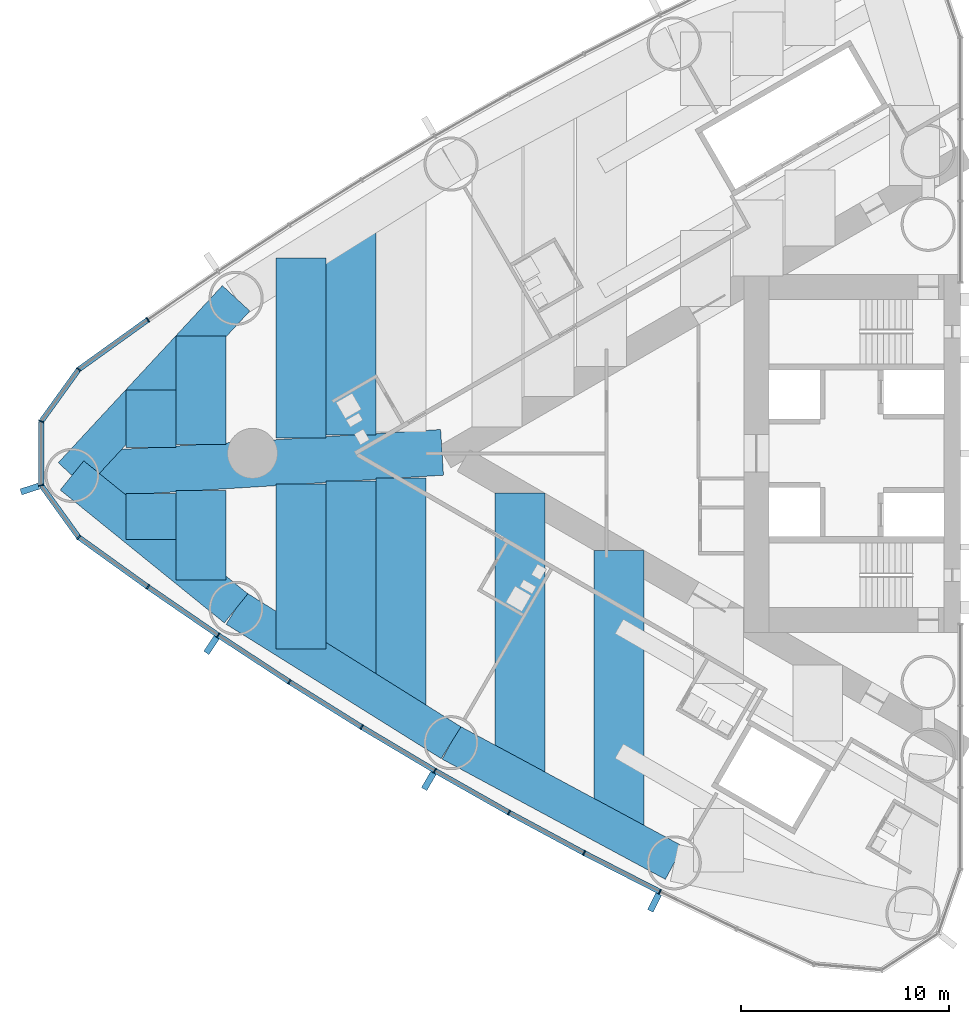
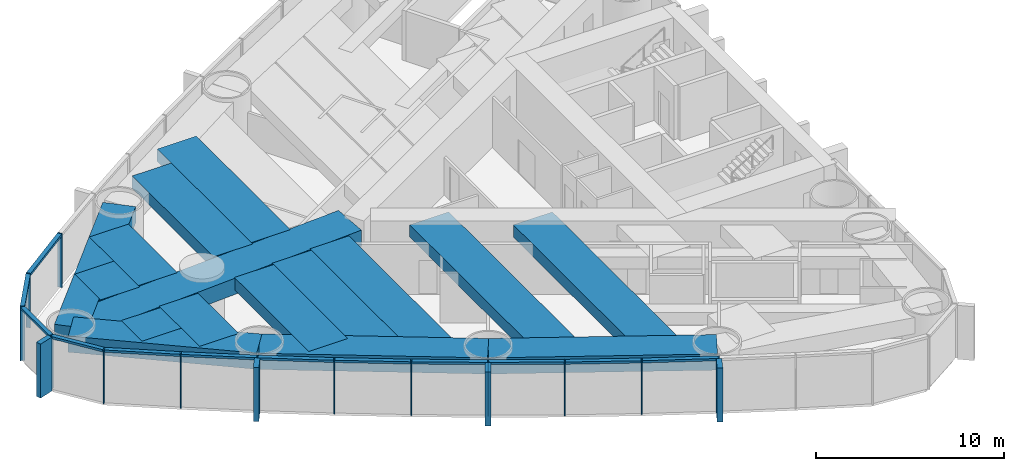
# One storey, part 2 of 18: 29 members, 16 beams, 1 element without a shape of its own.
"""IFC4 building model written with IfcOpenShell, lengths in metres."""

from ifc_helpers import new_model, si_unit, direction, frame, origin, origin_2d, place, context, subcontext, project, spatial, rectangle, extrude, material, material_profile, profile_set, type_object, element, aggregate, save


model = new_model("IFC4")

# Units and contexts
model_context = context("Model", 3, precision=1e-05, world=origin(), true_north=direction((0.0, 1.0)))
body_context = subcontext(model_context, "Body", "Model", "MODEL_VIEW")
ifc_project = project(units=[si_unit("LENGTHUNIT", "METRE"), si_unit("AREAUNIT", "SQUARE_METRE"), si_unit("VOLUMEUNIT", "CUBIC_METRE"), si_unit("PLANEANGLEUNIT", "RADIAN"), si_unit("MASSUNIT", "GRAM", prefix="KILO")], contexts=[model_context])

# Site, building, storey
site_placement = place(None, origin())
site = spatial("IfcSite", under=ifc_project, at=site_placement, CompositionType="ELEMENT")
building_placement = place(site_placement, origin())
building = spatial("IfcBuilding", under=site, at=building_placement, Name="Lancet Gate Hotel", CompositionType="ELEMENT")
storey_placement = place(building_placement, frame((0.0, 0.0, 94.10009765625)))
storey = spatial("IfcBuildingStorey", under=building, at=storey_placement, Name="L24", CompositionType="ELEMENT", Elevation=94.10009765625)

# Curtain wall, members
ifc_material_1 = material(Name="Aluminium curtain wall", Category="aluminium")
curtain_wall_type = type_object("IfcCurtainWallType", Name="Tower unitised curtain wall", PredefinedType="USERDEFINED", material=ifc_material_1)
curtain_wall_placement = place(storey_placement, origin())
curtain_wall = element("IfcCurtainWall", 1, at=curtain_wall_placement, inside=storey, type_object=curtain_wall_type, Name="T1 L24 curtain wall 1", ObjectType="UNITISED CURTAIN WALL", PredefinedType="USERDEFINED")
ifc_material_2 = material(Name="Aluminium mullion", Category="aluminium")
ifc_material_profile_1 = material_profile(ifc_material_2, rectangle(XDim=0.06494140625, YDim=0.25, at=origin_2d()), Name="MULLION 65x250")
ifc_profile_set_1 = profile_set([ifc_material_profile_1], Name="Aluminium mullion")
member_type_1 = type_object("IfcMemberType", Name="Aluminium mullion 65x250", PredefinedType="MULLION", material=ifc_profile_set_1)
member_1_placement = place(storey_placement, frame((-66.5234375, 6.41650390625, 0.0), z_axis=(0.0, 0.0, 1.0), x_axis=(-0.818327221681, -0.574752606132, 0.0)))
member_1 = element("IfcMember", 2, at=member_1_placement, type_object=member_type_1, Name="T1 L24 curtain wall 1 mullion 16", PredefinedType="MULLION", context=body_context, shape_type="SweptSolid", body=[
    extrude(rectangle(XDim=0.06494140625, YDim=0.25, at=origin_2d()), origin(), (0.0, 0.0, 1.0), 3.5),
])
member_2_placement = place(storey_placement, frame((-69.84619140625, 4.02880859375, 0.0), z_axis=(0.0, 0.0, 1.0), x_axis=(-0.723846229576, -0.6899613293, 0.0)))
member_2 = element("IfcMember", 3, at=member_2_placement, type_object=member_type_1, Name="T1 L24 curtain wall 1 mullion 17", PredefinedType="MULLION", context=body_context, shape_type="SweptSolid", body=[
    extrude(rectangle(XDim=0.06494140625, YDim=0.25, at=origin_2d()), origin(), (0.0, 0.0, 1.0), 3.5),
])
member_3_placement = place(storey_placement, frame((-71.64306640625, 1.536376953125, 0.0), z_axis=(0.0, 0.0, 1.0), x_axis=(-0.307269196735, -0.95162263568, 0.0)))
member_3 = element("IfcMember", 4, at=member_3_placement, type_object=member_type_1, Name="T1 L24 curtain wall 1 mullion 18", PredefinedType="MULLION", context=body_context, shape_type="SweptSolid", body=[
    extrude(rectangle(XDim=0.06494140625, YDim=0.25, at=origin_2d()), origin(), (0.0, 0.0, 1.0), 3.5),
])
member_4_placement = place(storey_placement, frame((-71.64306640625, -1.536376953125, 0.0), z_axis=(0.0, 0.0, 1.0), x_axis=(0.307269196735, -0.95162263568, 0.0)))
member_4 = element("IfcMember", 5, at=member_4_placement, type_object=member_type_1, Name="T1 L24 curtain wall 1 mullion 19", PredefinedType="MULLION", context=body_context, shape_type="SweptSolid", body=[
    extrude(rectangle(XDim=0.06494140625, YDim=0.25, at=origin_2d()), origin(), (0.0, 0.0, 1.0), 3.5),
])
member_5_placement = place(storey_placement, frame((-69.84619140625, -4.02880859375, 0.0), z_axis=(0.0, 0.0, 1.0), x_axis=(0.723846229576, -0.6899613293, 0.0)))
member_5 = element("IfcMember", 6, at=member_5_placement, type_object=member_type_1, Name="T1 L24 curtain wall 1 mullion 20", PredefinedType="MULLION", context=body_context, shape_type="SweptSolid", body=[
    extrude(rectangle(XDim=0.06494140625, YDim=0.25, at=origin_2d()), origin(), (0.0, 0.0, 1.0), 3.5),
])
member_6_placement = place(storey_placement, frame((-66.5234375, -6.41650390625, 0.0), z_axis=(0.0, 0.0, 1.0), x_axis=(0.818327221681, -0.574752606132, 0.0)))
member_6 = element("IfcMember", 7, at=member_6_placement, type_object=member_type_1, Name="T1 L24 curtain wall 1 mullion 21", PredefinedType="MULLION", context=body_context, shape_type="SweptSolid", body=[
    extrude(rectangle(XDim=0.06494140625, YDim=0.25, at=origin_2d()), origin(), (0.0, 0.0, 1.0), 3.5),
])
member_7_placement = place(storey_placement, frame((-63.14990234375, -8.73193359375, 0.0), z_axis=(0.0, 0.0, 1.0), x_axis=(0.830510096234, -0.557003572747, 0.0)))
member_7 = element("IfcMember", 8, at=member_7_placement, type_object=member_type_1, Name="T1 L24 curtain wall 1 mullion 22", PredefinedType="MULLION", context=body_context, shape_type="SweptSolid", body=[
    extrude(rectangle(XDim=0.06494140625, YDim=0.25, at=origin_2d()), origin(), (0.0, 0.0, 1.0), 3.5),
])
member_8_placement = place(storey_placement, frame((-59.7275390625, -10.974365234375, 0.0), z_axis=(0.0, 0.0, 1.0), x_axis=(0.84230807036, -0.538996395727, 0.0)))
member_8 = element("IfcMember", 9, at=member_8_placement, type_object=member_type_1, Name="T1 L24 curtain wall 1 mullion 23", PredefinedType="MULLION", context=body_context, shape_type="SweptSolid", body=[
    extrude(rectangle(XDim=0.06494140625, YDim=0.25, at=origin_2d()), origin(), (0.0, 0.0, 1.0), 3.5),
])
member_9_placement = place(storey_placement, frame((-56.257568359375, -13.142333984375, 0.0), z_axis=(0.0, 0.0, 1.0), x_axis=(0.853715676299, -0.52073942048, 0.0)))
member_9 = element("IfcMember", 10, at=member_9_placement, type_object=member_type_1, Name="T1 L24 curtain wall 1 mullion 24", PredefinedType="MULLION", context=body_context, shape_type="SweptSolid", body=[
    extrude(rectangle(XDim=0.06494140625, YDim=0.25, at=origin_2d()), origin(), (0.0, 0.0, 1.0), 3.5),
])
member_10_placement = place(storey_placement, frame((-52.74169921875, -15.2353515625, 0.0), z_axis=(0.0, 0.0, 1.0), x_axis=(0.86472762718, -0.502241108226, 0.0)))
member_10 = element("IfcMember", 11, at=member_10_placement, type_object=member_type_1, Name="T1 L24 curtain wall 1 mullion 25", PredefinedType="MULLION", context=body_context, shape_type="SweptSolid", body=[
    extrude(rectangle(XDim=0.06494140625, YDim=0.25, at=origin_2d()), origin(), (0.0, 0.0, 1.0), 3.5),
])
member_11_placement = place(storey_placement, frame((-49.181640625, -17.252197265625, 0.0), z_axis=(0.0, 0.0, 1.0), x_axis=(0.875338819507, -0.48351003202, 0.0)))
member_11 = element("IfcMember", 12, at=member_11_placement, type_object=member_type_1, Name="T1 L24 curtain wall 1 mullion 26", PredefinedType="MULLION", context=body_context, shape_type="SweptSolid", body=[
    extrude(rectangle(XDim=0.06494140625, YDim=0.25, at=origin_2d()), origin(), (0.0, 0.0, 1.0), 3.5),
])
member_12_placement = place(storey_placement, frame((-45.578857421875, -19.19189453125, 0.0), z_axis=(0.0, 0.0, 1.0), x_axis=(0.885544335517, -0.46455487279, 0.0)))
member_12 = element("IfcMember", 13, at=member_12_placement, type_object=member_type_1, Name="T1 L24 curtain wall 1 mullion 27", PredefinedType="MULLION", context=body_context, shape_type="SweptSolid", body=[
    extrude(rectangle(XDim=0.06494140625, YDim=0.25, at=origin_2d()), origin(), (0.0, 0.0, 1.0), 3.5),
])
member_13_placement = place(storey_placement, frame((-41.935302734375, -21.053466796875, 0.0), z_axis=(0.0, 0.0, 1.0), x_axis=(0.895339445458, -0.445384415317, 0.0)))
member_13 = element("IfcMember", 14, at=member_13_placement, type_object=member_type_1, Name="T1 L24 curtain wall 1 mullion 28", PredefinedType="MULLION", context=body_context, shape_type="SweptSolid", body=[
    extrude(rectangle(XDim=0.06494140625, YDim=0.25, at=origin_2d()), origin(), (0.0, 0.0, 1.0), 3.5),
])
ifc_material_3 = material(Name="Aluminium transom", Category="aluminium")
ifc_material_profile_2 = material_profile(ifc_material_3, rectangle(XDim=0.25, YDim=0.14990234375, at=origin_2d()), Name="TRANSOM 250x150")
ifc_profile_set_2 = profile_set([ifc_material_profile_2], Name="Aluminium transom")
member_type_2 = type_object("IfcMemberType", Name="Aluminium transom 250x150", PredefinedType="USERDEFINED", material=ifc_profile_set_2)
member_14_placement = place(storey_placement, frame((-66.5498046875, 6.3974609375, 3.4248046875), z_axis=(-0.812099770796, -0.583518604908, 0.0), x_axis=(0.583518604908, -0.812099770796, 0.0)))
member_14 = element("IfcMember", 15, at=member_14_placement, type_object=member_type_2, Name="T1 L24 curtain wall 1 transom 16", ObjectType="TRANSOM", PredefinedType="USERDEFINED", context=body_context, shape_type="SweptSolid", body=[
    extrude(rectangle(XDim=0.25, YDim=0.14990234375, at=origin_2d()), origin(), (0.0, 0.0, 1.0), 4.026611328125),
])
member_15_placement = place(storey_placement, frame((-69.865234375, 4.00244140625, 3.4248046875), z_axis=(-0.584787911241, -0.81118622946, 0.0), x_axis=(0.81118622946, -0.584787911241, 0.0)))
member_15 = element("IfcMember", 16, at=member_15_placement, type_object=member_type_2, Name="T1 L24 curtain wall 1 transom 17", ObjectType="TRANSOM", PredefinedType="USERDEFINED", context=body_context, shape_type="SweptSolid", body=[
    extrude(rectangle(XDim=0.25, YDim=0.14990234375, at=origin_2d()), origin(), (0.0, 0.0, 1.0), 3.007568359375),
])
member_16_placement = place(storey_placement, frame((-71.64306640625, 1.50390625, 3.4248046875), z_axis=(0.0, -1.0, 0.0), x_axis=(1.0, 0.0, 0.0)))
member_16 = element("IfcMember", 17, at=member_16_placement, type_object=member_type_2, Name="T1 L24 curtain wall 1 transom 18", ObjectType="TRANSOM", PredefinedType="USERDEFINED", context=body_context, shape_type="SweptSolid", body=[
    extrude(rectangle(XDim=0.25, YDim=0.14990234375, at=origin_2d()), origin(), (0.0, 0.0, 1.0), 3.0078125),
])
member_17_placement = place(storey_placement, frame((-71.6240234375, -1.562744140625, 3.4248046875), z_axis=(0.584787911241, -0.81118622946, 0.0), x_axis=(0.81118622946, 0.584787911241, 0.0)))
member_17 = element("IfcMember", 18, at=member_17_placement, type_object=member_type_2, Name="T1 L24 curtain wall 1 transom 19", ObjectType="TRANSOM", PredefinedType="USERDEFINED", context=body_context, shape_type="SweptSolid", body=[
    extrude(rectangle(XDim=0.25, YDim=0.14990234375, at=origin_2d()), origin(), (0.0, 0.0, 1.0), 3.007568359375),
])
member_18_placement = place(storey_placement, frame((-69.81982421875, -4.0478515625, 3.4248046875), z_axis=(0.812099770796, -0.583518604908, 0.0), x_axis=(0.583518604908, 0.812099770796, 0.0)))
member_18 = element("IfcMember", 19, at=member_18_placement, type_object=member_type_2, Name="T1 L24 curtain wall 1 transom 20", ObjectType="TRANSOM", PredefinedType="USERDEFINED", context=body_context, shape_type="SweptSolid", body=[
    extrude(rectangle(XDim=0.25, YDim=0.14990234375, at=origin_2d()), origin(), (0.0, 0.0, 1.0), 4.026611328125),
])
member_19_placement = place(storey_placement, frame((-66.49658203125, -6.434814453125, 3.4248046875), z_axis=(0.824455665247, -0.565926546508, 0.0), x_axis=(0.565926546508, 0.824455665247, 0.0)))
member_19 = element("IfcMember", 20, at=member_19_placement, type_object=member_type_2, Name="T1 L24 curtain wall 1 transom 21", ObjectType="TRANSOM", PredefinedType="USERDEFINED", context=body_context, shape_type="SweptSolid", body=[
    extrude(rectangle(XDim=0.25, YDim=0.14990234375, at=origin_2d()), origin(), (0.0, 0.0, 1.0), 4.026611328125),
])
member_20_placement = place(storey_placement, frame((-63.122802734375, -8.749755859375, 3.4248046875), z_axis=(0.83645442085, -0.548036496815, 0.0), x_axis=(0.548036496815, 0.83645442085, 0.0)))
member_20 = element("IfcMember", 21, at=member_20_placement, type_object=member_type_2, Name="T1 L24 curtain wall 1 transom 22", ObjectType="TRANSOM", PredefinedType="USERDEFINED", context=body_context, shape_type="SweptSolid", body=[
    extrude(rectangle(XDim=0.25, YDim=0.14990234375, at=origin_2d()), origin(), (0.0, 0.0, 1.0), 4.026611328125),
])
member_21_placement = place(storey_placement, frame((-59.699951171875, -10.991455078125, 3.4248046875), z_axis=(0.848049393821, -0.529917187531, 0.0), x_axis=(0.529917187531, 0.848049393821, 0.0)))
member_21 = element("IfcMember", 22, at=member_21_placement, type_object=member_type_2, Name="T1 L24 curtain wall 1 transom 23", ObjectType="TRANSOM", PredefinedType="USERDEFINED", context=body_context, shape_type="SweptSolid", body=[
    extrude(rectangle(XDim=0.25, YDim=0.14990234375, at=origin_2d()), origin(), (0.0, 0.0, 1.0), 4.026611328125),
])
member_22_placement = place(storey_placement, frame((-56.2294921875, -13.1591796875, 3.4248046875), z_axis=(0.859285270342, -0.511496651186, 0.0), x_axis=(0.511496651186, 0.859285270342, 0.0)))
member_22 = element("IfcMember", 23, at=member_22_placement, type_object=member_type_2, Name="T1 L24 curtain wall 1 transom 24", ObjectType="TRANSOM", PredefinedType="USERDEFINED", context=body_context, shape_type="SweptSolid", body=[
    extrude(rectangle(XDim=0.25, YDim=0.14990234375, at=origin_2d()), origin(), (0.0, 0.0, 1.0), 4.026611328125),
])
member_23_placement = place(storey_placement, frame((-52.71337890625, -15.25146484375, 3.4248046875), z_axis=(0.870091531013, -0.492890178091, 0.0), x_axis=(0.492890178091, 0.870091531013, 0.0)))
member_23 = element("IfcMember", 24, at=member_23_placement, type_object=member_type_2, Name="T1 L24 curtain wall 1 transom 25", ObjectType="TRANSOM", PredefinedType="USERDEFINED", context=body_context, shape_type="SweptSolid", body=[
    extrude(rectangle(XDim=0.25, YDim=0.14990234375, at=origin_2d()), origin(), (0.0, 0.0, 1.0), 4.026611328125),
])
member_24_placement = place(storey_placement, frame((-49.153076171875, -17.267578125, 3.4248046875), z_axis=(0.880498353192, -0.474049206335, 0.0), x_axis=(0.474049206335, 0.880498353192, 0.0)))
member_24 = element("IfcMember", 25, at=member_24_placement, type_object=member_type_2, Name="T1 L24 curtain wall 1 transom 26", ObjectType="TRANSOM", PredefinedType="USERDEFINED", context=body_context, shape_type="SweptSolid", body=[
    extrude(rectangle(XDim=0.25, YDim=0.14990234375, at=origin_2d()), origin(), (0.0, 0.0, 1.0), 4.02685546875),
])
member_25_placement = place(storey_placement, frame((-45.550048828125, -19.20654296875, 3.4248046875), z_axis=(0.89047617483, -0.455029869415, 0.0), x_axis=(0.455029869415, 0.89047617483, 0.0)))
member_25 = element("IfcMember", 26, at=member_25_placement, type_object=member_type_2, Name="T1 L24 curtain wall 1 transom 27", ObjectType="TRANSOM", PredefinedType="USERDEFINED", context=body_context, shape_type="SweptSolid", body=[
    extrude(rectangle(XDim=0.25, YDim=0.14990234375, at=origin_2d()), origin(), (0.0, 0.0, 1.0), 4.026611328125),
])

# Beams
ifc_material_4 = material(Name="Concrete C50/60", Category="concrete")
ifc_material_profile_3 = material_profile(ifc_material_4, rectangle(XDim=1.800048828125, YDim=1.050048828125, at=origin_2d()), Name="RC 1800x1050")
ifc_profile_set_3 = profile_set([ifc_material_profile_3], Name="Concrete C50/60")
beam_type_1 = type_object("IfcBeamType", Name="Edge beam RC 1800x1050", PredefinedType="SPANDREL", material=ifc_profile_set_3)
beam_1_placement = place(storey_placement, frame((-62.28662109375, 7.444580078125, 2.724853515625), z_axis=(-0.679718253794, -0.733473309303, 0.0), x_axis=(0.733473309303, -0.679718253794, 0.0)))
element("IfcBeam", 27, at=beam_1_placement, inside=storey, type_object=beam_type_1, Name="T1 edge beam EB1 L24", PredefinedType="SPANDREL", context=body_context, shape_type="SweptSolid", body=[
    extrude(rectangle(XDim=1.800048828125, YDim=1.050048828125, at=origin_2d()), origin(), (0.0, 0.0, 1.0), 11.594970703125),
])
beam_2_placement = place(storey_placement, frame((-70.16796875, -1.06005859375, 2.724853515625), z_axis=(0.777033503891, -0.629459239213, 0.0), x_axis=(0.629459239213, 0.777033503891, 0.0)))
element("IfcBeam", 28, at=beam_2_placement, inside=storey, type_object=beam_type_1, Name="T1 edge beam EB1 L24", PredefinedType="SPANDREL", context=body_context, shape_type="SweptSolid", body=[
    extrude(rectangle(XDim=1.800048828125, YDim=1.050048828125, at=origin_2d()), origin(), (0.0, 0.0, 1.0), 10.142822265625),
])
for number, where, z_axis, x_axis, name in (
    (29, (-62.28662109375, -7.444580078125, 2.724853515625), (0.848062521637, -0.529896177939, 0.0), (0.529896177939, 0.848062521637, 0.0), "T1 edge beam EB1 L24"),
    (30, (-51.963134765625, -13.89501953125, 2.724853515625), (0.880492350889, -0.474060354835, 0.0), (0.474060354835, 0.880492350889, 0.0), "T1 edge beam EB1 L24"),
):
    element("IfcBeam", number, at=place(storey_placement, frame(where, z_axis=z_axis, x_axis=x_axis)), inside=storey, type_object=beam_type_1, Name=name, PredefinedType="SPANDREL", context=body_context, shape_type="SweptSolid", body=[
        extrude(rectangle(XDim=1.800048828125, YDim=1.050048828125, at=origin_2d()), origin(), (0.0, 0.0, 1.0), 12.173095703125),
    ])

# Member
ifc_material_5 = material(Name="Precast concrete C50/60", Category="concrete")
ifc_material_profile_4 = material_profile(ifc_material_5, rectangle(XDim=0.300048828125, YDim=0.89990234375, at=origin_2d()), Name="FIN 300x900")
ifc_profile_set_4 = profile_set([ifc_material_profile_4], Name="Precast concrete C50/60")
member_type_3 = type_object("IfcMemberType", Name="Exposed concrete fin 300x900", PredefinedType="USERDEFINED", material=ifc_profile_set_4)
member_26_placement = place(storey_placement, frame((-72.190185546875, -1.713134765625, 0.0), z_axis=(0.0, 0.0, 1.0), x_axis=(0.307269196735, -0.95162263568, 0.0)))
member_26 = element("IfcMember", 31, at=member_26_placement, type_object=member_type_3, Name="T1 L24 curtain wall 1 fin 19", ObjectType="FIN", PredefinedType="USERDEFINED", context=body_context, shape_type="SweptSolid", body=[
    extrude(rectangle(XDim=0.300048828125, YDim=0.89990234375, at=origin_2d()), origin(), (0.0, 0.0, 1.0), 3.5),
])

member_27_placement = place(storey_placement, frame((-63.47021484375, -9.20947265625, 0.0), z_axis=(0.0, 0.0, 1.0), x_axis=(0.830510096234, -0.557003572747, 0.0)))
member_27 = element("IfcMember", 32, at=member_27_placement, type_object=member_type_3, Name="T1 L24 curtain wall 1 fin 22", ObjectType="FIN", PredefinedType="USERDEFINED", context=body_context, shape_type="SweptSolid", body=[
    extrude(rectangle(XDim=0.300048828125, YDim=0.89990234375, at=origin_2d()), origin(), (0.0, 0.0, 1.0), 3.5),
])

member_28_placement = place(storey_placement, frame((-53.030517578125, -15.732666015625, 0.0), z_axis=(0.0, 0.0, 1.0), x_axis=(0.86472762718, -0.502241108226, 0.0)))
member_28 = element("IfcMember", 33, at=member_28_placement, type_object=member_type_3, Name="T1 L24 curtain wall 1 fin 25", ObjectType="FIN", PredefinedType="USERDEFINED", context=body_context, shape_type="SweptSolid", body=[
    extrude(rectangle(XDim=0.300048828125, YDim=0.89990234375, at=origin_2d()), origin(), (0.0, 0.0, 1.0), 3.5),
])

member_29_placement = place(storey_placement, frame((-42.19140625, -21.568359375, 0.0), z_axis=(0.0, 0.0, 1.0), x_axis=(0.895339445458, -0.445384415317, 0.0)))
member_29 = element("IfcMember", 34, at=member_29_placement, type_object=member_type_3, Name="T1 L24 curtain wall 1 fin 28", ObjectType="FIN", PredefinedType="USERDEFINED", context=body_context, shape_type="SweptSolid", body=[
    extrude(rectangle(XDim=0.300048828125, YDim=0.89990234375, at=origin_2d()), origin(), (0.0, 0.0, 1.0), 3.5),
])

aggregate(curtain_wall, [member_1, member_2, member_3, member_4, member_26, member_5, member_6, member_7, member_27, member_8, member_9, member_10, member_28, member_11, member_12, member_13, member_29, member_14, member_15, member_16, member_17, member_18, member_19, member_20, member_21, member_22, member_23, member_24, member_25])

# Beams
ifc_material_6 = material(Name="Concrete C50/60", Category="concrete")
ifc_material_profile_5 = material_profile(ifc_material_6, rectangle(XDim=2.39990234375, YDim=0.800048828125, at=origin_2d()), Name="RC 2400x800")
ifc_profile_set_5 = profile_set([ifc_material_profile_5], Name="Concrete C50/60")
beam_type_2 = type_object("IfcBeamType", Name="Floor beam RC 2400x800", PredefinedType="BEAM", material=ifc_profile_set_5)
beam_3_placement = place(storey_placement, frame((-43.891357421875, -4.663330078125, 2.849853515625), z_axis=(0.0, -1.0, 0.0), x_axis=(1.0, 0.0, 0.0)))
element("IfcBeam", 35, at=beam_3_placement, inside=storey, type_object=beam_type_2, Name="T1 floor beam F08N L24", PredefinedType="BEAM", context=body_context, shape_type="SweptSolid", body=[
    extrude(rectangle(XDim=2.39990234375, YDim=0.800048828125, at=origin_2d()), origin(), (0.0, 0.0, 1.0), 13.57763671875),
])
beam_4_placement = place(storey_placement, frame((-48.66015625, -1.909912109375, 2.849853515625), z_axis=(0.0, -1.0, 0.0), x_axis=(1.0, 0.0, 0.0)))
element("IfcBeam", 36, at=beam_4_placement, inside=storey, type_object=beam_type_2, Name="T1 floor beam F11N L24", PredefinedType="BEAM", context=body_context, shape_type="SweptSolid", body=[
    extrude(rectangle(XDim=2.39990234375, YDim=0.800048828125, at=origin_2d()), origin(), (0.0, 0.0, 1.0), 13.763427734375),
])
beam_5_placement = place(storey_placement, frame((-54.3681640625, -1.177001953125, 2.849853515625), z_axis=(0.0, -1.0, 0.0), x_axis=(1.0, 0.0, 0.0)))
element("IfcBeam", 37, at=beam_5_placement, inside=storey, type_object=beam_type_2, Name="T1 floor beam F14N L24", PredefinedType="BEAM", context=body_context, shape_type="SweptSolid", body=[
    extrude(rectangle(XDim=2.39990234375, YDim=0.800048828125, at=origin_2d()), origin(), (0.0, 0.0, 1.0), 11.21533203125),
])
beam_6_placement = place(storey_placement, frame((-56.768310546875, 10.892578125, 2.849853515625), z_axis=(0.0, -1.0, 0.0), x_axis=(1.0, 0.0, 0.0)))
element("IfcBeam", 38, at=beam_6_placement, inside=storey, type_object=beam_type_2, Name="T1 floor beam F15S L24", PredefinedType="BEAM", context=body_context, shape_type="SweptSolid", body=[
    extrude(rectangle(XDim=2.39990234375, YDim=0.800048828125, at=origin_2d()), origin(), (0.0, 0.0, 1.0), 10.014892578125),
])
beam_7_placement = place(storey_placement, frame((-56.768310546875, -1.32666015625, 2.849853515625), z_axis=(0.0, -1.0, 0.0), x_axis=(1.0, 0.0, 0.0)))
element("IfcBeam", 39, at=beam_7_placement, inside=storey, type_object=beam_type_2, Name="T1 floor beam F16N L24", PredefinedType="BEAM", context=body_context, shape_type="SweptSolid", body=[
    extrude(rectangle(XDim=2.39990234375, YDim=0.800048828125, at=origin_2d()), origin(), (0.0, 0.0, 1.0), 9.56591796875),
])
beam_8_placement = place(storey_placement, frame((-59.168212890625, 9.39306640625, 2.849853515625), z_axis=(0.0, -1.0, 0.0), x_axis=(1.0, 0.0, 0.0)))
element("IfcBeam", 40, at=beam_8_placement, inside=storey, type_object=beam_type_2, Name="T1 floor beam F17S L24", PredefinedType="BEAM", context=body_context, shape_type="SweptSolid", body=[
    extrude(rectangle(XDim=2.39990234375, YDim=0.800048828125, at=origin_2d()), origin(), (0.0, 0.0, 1.0), 8.6650390625),
])
beam_9_placement = place(storey_placement, frame((-59.168212890625, -1.476318359375, 2.849853515625), z_axis=(0.0, -1.0, 0.0), x_axis=(1.0, 0.0, 0.0)))
element("IfcBeam", 41, at=beam_9_placement, inside=storey, type_object=beam_type_2, Name="T1 floor beam F18N L24", PredefinedType="BEAM", context=body_context, shape_type="SweptSolid", body=[
    extrude(rectangle(XDim=2.39990234375, YDim=0.800048828125, at=origin_2d()), origin(), (0.0, 0.0, 1.0), 7.916748046875),
])
beam_10_placement = place(storey_placement, frame((-63.96826171875, 5.6298828125, 2.849853515625), z_axis=(0.0, -1.0, 0.0), x_axis=(1.0, 0.0, 0.0)))
element("IfcBeam", 42, at=beam_10_placement, inside=storey, type_object=beam_type_2, Name="T1 floor beam F19S L24", PredefinedType="BEAM", context=body_context, shape_type="SweptSolid", body=[
    extrude(rectangle(XDim=2.39990234375, YDim=0.800048828125, at=origin_2d()), origin(), (0.0, 0.0, 1.0), 5.201171875),
])
beam_11_placement = place(storey_placement, frame((-63.96826171875, -1.775634765625, 2.849853515625), z_axis=(0.0, -1.0, 0.0), x_axis=(1.0, 0.0, 0.0)))
element("IfcBeam", 43, at=beam_11_placement, inside=storey, type_object=beam_type_2, Name="T1 floor beam F20N L24", PredefinedType="BEAM", context=body_context, shape_type="SweptSolid", body=[
    extrude(rectangle(XDim=2.39990234375, YDim=0.800048828125, at=origin_2d()), origin(), (0.0, 0.0, 1.0), 4.306640625),
])
beam_12_placement = place(storey_placement, frame((-66.3681640625, 3.040283203125, 2.849853515625), z_axis=(0.0, -1.0, 0.0), x_axis=(1.0, 0.0, 0.0)))
element("IfcBeam", 44, at=beam_12_placement, inside=storey, type_object=beam_type_2, Name="T1 floor beam F21S L24", PredefinedType="BEAM", context=body_context, shape_type="SweptSolid", body=[
    extrude(rectangle(XDim=2.39990234375, YDim=0.800048828125, at=origin_2d()), origin(), (0.0, 0.0, 1.0), 2.76123046875),
])
beam_13_placement = place(storey_placement, frame((-66.3681640625, -1.92529296875, 2.849853515625), z_axis=(0.0, -1.0, 0.0), x_axis=(1.0, 0.0, 0.0)))
element("IfcBeam", 45, at=beam_13_placement, inside=storey, type_object=beam_type_2, Name="T1 floor beam F22N L24", PredefinedType="BEAM", context=body_context, shape_type="SweptSolid", body=[
    extrude(rectangle(XDim=2.39990234375, YDim=0.800048828125, at=origin_2d()), origin(), (0.0, 0.0, 1.0), 2.212890625),
])
ifc_material_7 = material(Name="Concrete C50/60", Category="concrete")
ifc_material_profile_6 = material_profile(ifc_material_7, rectangle(XDim=2.199951171875, YDim=1.050048828125, at=origin_2d()), Name="RC 2200x1050")
ifc_profile_set_6 = profile_set([ifc_material_profile_6], Name="Concrete C50/60")
beam_type_3 = type_object("IfcBeamType", Name="Radial floor beam RC 2200x1050", PredefinedType="BEAM", material=ifc_profile_set_6)
beam_14_placement = place(storey_placement, frame((-70.16796875, -1.06005859375, 2.724853515625), z_axis=(0.998061637313, 0.062233175423, 0.0), x_axis=(-0.062233175423, 0.998061637313, 0.0)))
element("IfcBeam", 46, at=beam_14_placement, inside=storey, type_object=beam_type_3, Name="T1 radial beam CA L24", PredefinedType="BEAM", context=body_context, shape_type="SweptSolid", body=[
    extrude(rectangle(XDim=2.199951171875, YDim=1.050048828125, at=origin_2d()), origin(), (0.0, 0.0, 1.0), 17.806396484375),
])

save(model, "model.ifc")
